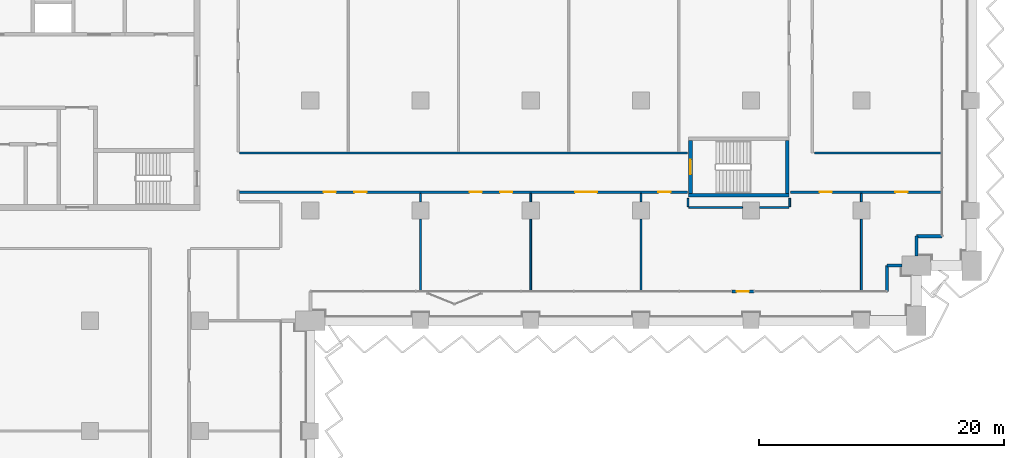
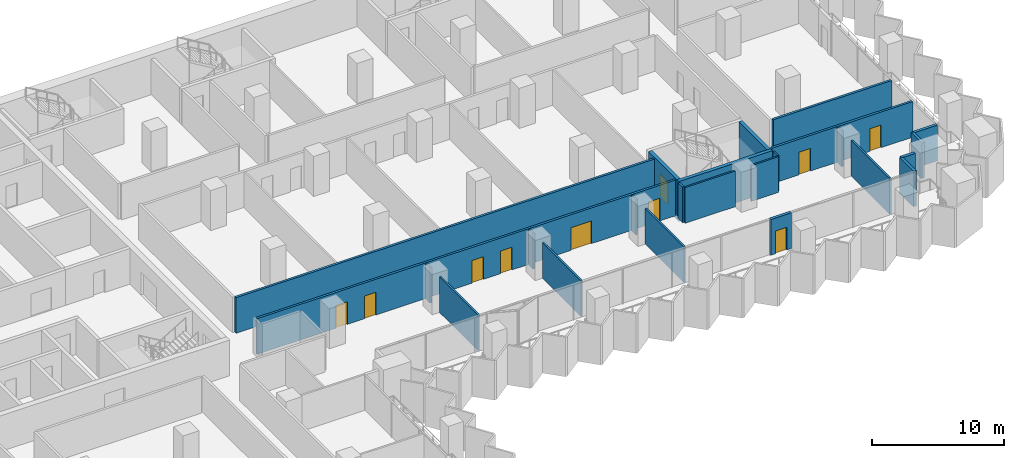
# One storey, part 13 of 28: 24 walls, 10 doors, 10 openings.
"""IFC4 building model written with IfcOpenShell, lengths in metres."""

from ifc_helpers import new_model, si_unit, direction, frame, frame_2d, origin, place, context, subcontext, project, spatial, rectangle, extrude, material, layer, layer_set, type_object, element, fill, save


model = new_model("IFC4")

# Units and contexts
model_context = context("Model", 3, precision=1e-05, world=origin(), true_north=direction((0.0, 1.0)))
body_context = subcontext(model_context, "Body", "Model", "MODEL_VIEW")
ifc_project = project(units=[si_unit("LENGTHUNIT", "METRE"), si_unit("AREAUNIT", "SQUARE_METRE"), si_unit("VOLUMEUNIT", "CUBIC_METRE"), si_unit("PLANEANGLEUNIT", "RADIAN"), si_unit("MASSUNIT", "GRAM", prefix="KILO")], contexts=[model_context])

# Site, building, storey
site_placement = place(None, origin())
site = spatial("IfcSite", under=ifc_project, at=site_placement, CompositionType="ELEMENT")
building_placement = place(site_placement, origin())
building = spatial("IfcBuilding", under=site, at=building_placement, Name="Hunhe Ridgeline Campus", CompositionType="ELEMENT")
storey_placement = place(building_placement, frame((0.0, 0.0, 39.5)))
storey = spatial("IfcBuildingStorey", under=building, at=storey_placement, Name="L08", CompositionType="ELEMENT", Elevation=39.5)

# Walls
ifc_material_1 = material(Name="Concrete C30", Category="concrete")
ifc_layer_1 = layer(ifc_material_1, 0.25)
ifc_layer_set_1 = layer_set([ifc_layer_1], Name="Corner return wall 250 Concrete C30")
wall_type_1 = type_object("IfcWallType", Name="Corner return wall 250 Concrete C30", PredefinedType="SOLIDWALL", material=ifc_layer_set_1)
wall_1_placement = place(storey_placement, frame((92.09912109375, 56.40087890625, 0.0), z_axis=(0.0, 0.0, 1.0), x_axis=(0.00011626555, 0.999999993241, 0.0)))
element("IfcWall", 1, at=wall_1_placement, inside=storey, type_object=wall_type_1, Name="Corner return wall 4", PredefinedType="SOLIDWALL", context=body_context, shape_type="SweptSolid", body=[
    extrude(rectangle(XDim=2.099853515625, YDim=0.25, at=frame_2d((1.0498046875, 0.0))), origin(), (0.0, 0.0, 1.0), 3.300048828125),
])
wall_2_placement = place(storey_placement, frame((92.099365234375, 58.500732421875, 0.0), z_axis=(0.0, 0.0, 1.0), x_axis=(1.0, 0.0, 0.0)))
element("IfcWall", 2, at=wall_2_placement, inside=storey, type_object=wall_type_1, Name="Corner return wall 5", PredefinedType="SOLIDWALL", context=body_context, shape_type="SweptSolid", body=[
    extrude(rectangle(XDim=1.20068359375, YDim=0.25, at=frame_2d((0.600341796875, 0.0))), origin(), (0.0, 0.0, 1.0), 3.300048828125),
])
wall_3_placement = place(storey_placement, frame((94.4990234375, 59.300048828125, 0.0), z_axis=(0.0, 0.0, 1.0), x_axis=(0.00015253203, 0.999999988367, 0.0)))
element("IfcWall", 3, at=wall_3_placement, inside=storey, type_object=wall_type_1, Name="Corner return wall 6", PredefinedType="SOLIDWALL", context=body_context, shape_type="SweptSolid", body=[
    extrude(rectangle(XDim=1.6005859375, YDim=0.25, at=frame_2d((0.80029296875, 0.0))), origin(), (0.0, 0.0, 1.0), 3.300048828125),
])
wall_4_placement = place(storey_placement, frame((94.499267578125, 60.900634765625, 0.0), z_axis=(0.0, 0.0, 1.0), x_axis=(0.999999993241, 0.00011626555, 0.0)))
element("IfcWall", 4, at=wall_4_placement, inside=storey, type_object=wall_type_1, Name="Corner return wall 7", PredefinedType="SOLIDWALL", context=body_context, shape_type="SweptSolid", body=[
    extrude(rectangle(XDim=2.099853515625, YDim=0.25, at=frame_2d((1.0498046875, 0.0))), origin(), (0.0, 0.0, 1.0), 3.300048828125),
])

# Wall, openings, doors
ifc_material_2 = material(Name="Gypsum board partition")
ifc_layer_2 = layer(ifc_material_2, 0.199951171875)
ifc_layer_set_2 = layer_set([ifc_layer_2], Name="Corridor partition 200 gypsum board on steel studs")
wall_type_2 = type_object("IfcWallType", Name="Corridor partition 200 gypsum board on steel studs", PredefinedType="PARTITIONING", material=ifc_layer_set_2)
wall_5_placement = place(storey_placement, frame((75.7958984375, 64.5, 0.0), z_axis=(0.0, 0.0, 1.0), x_axis=(-1.0, 0.0, 0.0)))
wall_5 = element("IfcWall", 5, at=wall_5_placement, inside=storey, type_object=wall_type_2, Name="F-L08-wall-034", PredefinedType="PARTITIONING", context=body_context, shape_type="SweptSolid", body=[
    extrude(rectangle(XDim=36.595947265625, YDim=0.199951171875, at=frame_2d((18.2978515625, 0.0))), origin(), (0.0, 0.0, 1.0), 3.300048828125),
])
opening_1_placement = place(wall_5_placement, frame((28.70166015625, 0.0, 0.0)))
opening_1 = element("IfcOpeningElement", 6, at=opening_1_placement, cuts=wall_5, Name="Opening RD1-023", PredefinedType="OPENING", context=body_context, shape_type="SweptSolid", body=[
    extrude(rectangle(XDim=1.0, YDim=2.10009765625, at=frame_2d((0.5, 1.050048828125))), frame((0.0, 0.10009765625, 0.0), z_axis=(0.0, -1.0, 0.0), x_axis=(1.0, 0.0, 0.0)), (0.0, 0.0, 1.0), 0.199951171875),
])
opening_2_placement = place(wall_5_placement, frame((26.20166015625, 0.0, 0.0)))
opening_2 = element("IfcOpeningElement", 7, at=opening_2_placement, cuts=wall_5, Name="Opening RD1-024", PredefinedType="OPENING", context=body_context, shape_type="SweptSolid", body=[
    extrude(rectangle(XDim=1.0, YDim=2.10009765625, at=frame_2d((0.5, 1.050048828125))), frame((0.0, 0.10009765625, 0.0), z_axis=(0.0, -1.0, 0.0), x_axis=(1.0, 0.0, 0.0)), (0.0, 0.0, 1.0), 0.199951171875),
])
opening_3_placement = place(wall_5_placement, frame((16.79541015625, 0.0, 0.0)))
opening_3 = element("IfcOpeningElement", 8, at=opening_3_placement, cuts=wall_5, Name="Opening RD1-025", PredefinedType="OPENING", context=body_context, shape_type="SweptSolid", body=[
    extrude(rectangle(XDim=1.0, YDim=2.10009765625, at=frame_2d((0.5, 1.050048828125))), frame((0.0, 0.10009765625, 0.0), z_axis=(0.0, -1.0, 0.0), x_axis=(1.0, 0.0, 0.0)), (0.0, 0.0, 1.0), 0.199951171875),
])
opening_4_placement = place(wall_5_placement, frame((14.29541015625, 0.0, 0.0)))
opening_4 = element("IfcOpeningElement", 9, at=opening_4_placement, cuts=wall_5, Name="Opening RD1-026", PredefinedType="OPENING", context=body_context, shape_type="SweptSolid", body=[
    extrude(rectangle(XDim=1.0, YDim=2.10009765625, at=frame_2d((0.5, 1.050048828125))), frame((0.0, 0.10009765625, 0.0), z_axis=(0.0, -1.0, 0.0), x_axis=(1.0, 0.0, 0.0)), (0.0, 0.0, 1.0), 0.199951171875),
])
opening_5_placement = place(wall_5_placement, frame((7.37158203125, 0.0, 0.0)))
opening_5 = element("IfcOpeningElement", 10, at=opening_5_placement, cuts=wall_5, Name="Opening RD2-027", PredefinedType="OPENING", context=body_context, shape_type="SweptSolid", body=[
    extrude(rectangle(XDim=1.800048828125, YDim=2.10009765625, at=frame_2d((0.89990234375, 1.050048828125))), frame((0.0, 0.10009765625, 0.0), z_axis=(0.0, -1.0, 0.0), x_axis=(1.0, 0.0, 0.0)), (0.0, 0.0, 1.0), 0.199951171875),
])
opening_6_placement = place(wall_5_placement, frame((1.3798828125, 0.0, 0.0)))
opening_6 = element("IfcOpeningElement", 11, at=opening_6_placement, cuts=wall_5, Name="Opening RD1-028", PredefinedType="OPENING", context=body_context, shape_type="SweptSolid", body=[
    extrude(rectangle(XDim=1.0, YDim=2.10009765625, at=frame_2d((0.5, 1.050048828125))), frame((0.0, 0.10009765625, 0.0), z_axis=(0.0, -1.0, 0.0), x_axis=(1.0, 0.0, 0.0)), (0.0, 0.0, 1.0), 0.199951171875),
])
ifc_material_3 = material(Name="Timber door leaf", Category="wood")
door_type_1 = type_object("IfcDoorType", Name="Double fire door 1800x2100 timber FD60", OperationType="DOUBLE_DOOR_SINGLE_SWING", PredefinedType="DOOR", material=ifc_material_3)
door_1_placement = place(opening_5_placement, origin())
door_1 = element("IfcDoor", 12, at=door_1_placement, inside=storey, type_object=door_type_1, Name="F-L08-door-027", OperationType="DOUBLE_DOOR_SINGLE_SWING", OverallHeight=2.10009765625, OverallWidth=1.800048828125, PredefinedType="DOOR", context=body_context, shape_type="SweptSolid", body=[
    extrude(rectangle(XDim=1.800048828125, YDim=2.10009765625, at=frame_2d((0.89990234375, 1.050048828125))), frame((0.0, 0.02490234375, 0.0), z_axis=(0.0, -1.0, 0.0), x_axis=(1.0, 0.0, 0.0)), (0.0, 0.0, 1.0), 0.050048828125),
])
fill(opening_5, door_1)
door_type_2 = type_object("IfcDoorType", Name="Single fire door 1000x2100 timber FD60", OperationType="NOTDEFINED", PredefinedType="DOOR", material=ifc_material_3)
door_2_placement = place(opening_1_placement, frame((1.0, 0.0, 0.0), z_axis=(0.0, 0.0, 1.0), x_axis=(-1.0, 0.0, 0.0)))
door_2 = element("IfcDoor", 13, at=door_2_placement, inside=storey, type_object=door_type_2, Name="F-L08-door-023", OperationType="SINGLE_SWING_RIGHT", OverallHeight=2.10009765625, OverallWidth=1.0, PredefinedType="DOOR", context=body_context, shape_type="SweptSolid", body=[
    extrude(rectangle(XDim=1.0, YDim=2.10009765625, at=frame_2d((0.5, 1.050048828125))), frame((0.0, 0.02490234375, 0.0), z_axis=(0.0, -1.0, 0.0), x_axis=(1.0, 0.0, 0.0)), (0.0, 0.0, 1.0), 0.050048828125),
])
fill(opening_1, door_2)
door_3_placement = place(opening_2_placement, frame((1.0, 0.0, 0.0), z_axis=(0.0, 0.0, 1.0), x_axis=(-1.0, 0.0, 0.0)))
door_3 = element("IfcDoor", 14, at=door_3_placement, inside=storey, type_object=door_type_2, Name="F-L08-door-024", OperationType="SINGLE_SWING_RIGHT", OverallHeight=2.10009765625, OverallWidth=1.0, PredefinedType="DOOR", context=body_context, shape_type="SweptSolid", body=[
    extrude(rectangle(XDim=1.0, YDim=2.10009765625, at=frame_2d((0.5, 1.050048828125))), frame((0.0, 0.02490234375, 0.0), z_axis=(0.0, -1.0, 0.0), x_axis=(1.0, 0.0, 0.0)), (0.0, 0.0, 1.0), 0.050048828125),
])
fill(opening_2, door_3)
door_4_placement = place(opening_3_placement, frame((1.0, 0.0, 0.0), z_axis=(0.0, 0.0, 1.0), x_axis=(-1.0, 0.0, 0.0)))
door_4 = element("IfcDoor", 15, at=door_4_placement, inside=storey, type_object=door_type_2, Name="F-L08-door-025", OperationType="SINGLE_SWING_RIGHT", OverallHeight=2.10009765625, OverallWidth=1.0, PredefinedType="DOOR", context=body_context, shape_type="SweptSolid", body=[
    extrude(rectangle(XDim=1.0, YDim=2.10009765625, at=frame_2d((0.5, 1.050048828125))), frame((0.0, 0.02490234375, 0.0), z_axis=(0.0, -1.0, 0.0), x_axis=(1.0, 0.0, 0.0)), (0.0, 0.0, 1.0), 0.050048828125),
])
fill(opening_3, door_4)
door_5_placement = place(opening_4_placement, frame((1.0, 0.0, 0.0), z_axis=(0.0, 0.0, 1.0), x_axis=(-1.0, 0.0, 0.0)))
door_5 = element("IfcDoor", 16, at=door_5_placement, inside=storey, type_object=door_type_2, Name="F-L08-door-026", OperationType="SINGLE_SWING_RIGHT", OverallHeight=2.10009765625, OverallWidth=1.0, PredefinedType="DOOR", context=body_context, shape_type="SweptSolid", body=[
    extrude(rectangle(XDim=1.0, YDim=2.10009765625, at=frame_2d((0.5, 1.050048828125))), frame((0.0, 0.02490234375, 0.0), z_axis=(0.0, -1.0, 0.0), x_axis=(1.0, 0.0, 0.0)), (0.0, 0.0, 1.0), 0.050048828125),
])
fill(opening_4, door_5)
door_6_placement = place(opening_6_placement, frame((1.0, 0.0, 0.0), z_axis=(0.0, 0.0, 1.0), x_axis=(-1.0, 0.0, 0.0)))
door_6 = element("IfcDoor", 17, at=door_6_placement, inside=storey, type_object=door_type_2, Name="F-L08-door-028", OperationType="SINGLE_SWING_RIGHT", OverallHeight=2.10009765625, OverallWidth=1.0, PredefinedType="DOOR", context=body_context, shape_type="SweptSolid", body=[
    extrude(rectangle(XDim=1.0, YDim=2.10009765625, at=frame_2d((0.5, 1.050048828125))), frame((0.0, 0.02490234375, 0.0), z_axis=(0.0, -1.0, 0.0), x_axis=(1.0, 0.0, 0.0)), (0.0, 0.0, 1.0), 0.050048828125),
])
fill(opening_6, door_6)

wall_6_placement = place(storey_placement, frame((96.544921875, 64.5, 0.0), z_axis=(0.0, 0.0, 1.0), x_axis=(-1.0, 0.0, 0.0)))
wall_6 = element("IfcWall", 18, at=wall_6_placement, inside=storey, type_object=wall_type_2, Name="F-L08-wall-035", PredefinedType="PARTITIONING", context=body_context, shape_type="SweptSolid", body=[
    extrude(rectangle(XDim=12.3408203125, YDim=0.199951171875, at=frame_2d((6.17041015625, 0.0))), origin(), (0.0, 0.0, 1.0), 3.300048828125),
])
opening_7_placement = place(wall_6_placement, frame((8.944580078125, 0.0, 0.0)))
opening_7 = element("IfcOpeningElement", 19, at=opening_7_placement, cuts=wall_6, Name="Opening RD1-029", PredefinedType="OPENING", context=body_context, shape_type="SweptSolid", body=[
    extrude(rectangle(XDim=1.0, YDim=2.10009765625, at=frame_2d((0.5, 1.050048828125))), frame((0.0, 0.10009765625, 0.0), z_axis=(0.0, -1.0, 0.0), x_axis=(1.0, 0.0, 0.0)), (0.0, 0.0, 1.0), 0.199951171875),
])
opening_8_placement = place(wall_6_placement, frame((2.774169921875, 0.0, 0.0)))
opening_8 = element("IfcOpeningElement", 20, at=opening_8_placement, cuts=wall_6, Name="Opening RD1-030", PredefinedType="OPENING", context=body_context, shape_type="SweptSolid", body=[
    extrude(rectangle(XDim=1.0, YDim=2.10009765625, at=frame_2d((0.5, 1.050048828125))), frame((0.0, 0.10009765625, 0.0), z_axis=(0.0, -1.0, 0.0), x_axis=(1.0, 0.0, 0.0)), (0.0, 0.0, 1.0), 0.199951171875),
])
door_7_placement = place(opening_7_placement, frame((1.0, 0.0, 0.0), z_axis=(0.0, 0.0, 1.0), x_axis=(-1.0, 0.0, 0.0)))
door_7 = element("IfcDoor", 21, at=door_7_placement, inside=storey, type_object=door_type_2, Name="F-L08-door-029", OperationType="SINGLE_SWING_RIGHT", OverallHeight=2.10009765625, OverallWidth=1.0, PredefinedType="DOOR", context=body_context, shape_type="SweptSolid", body=[
    extrude(rectangle(XDim=1.0, YDim=2.10009765625, at=frame_2d((0.5, 1.050048828125))), frame((0.0, 0.02490234375, 0.0), z_axis=(0.0, -1.0, 0.0), x_axis=(1.0, 0.0, 0.0)), (0.0, 0.0, 1.0), 0.050048828125),
])
fill(opening_7, door_7)
door_8_placement = place(opening_8_placement, origin())
door_8 = element("IfcDoor", 22, at=door_8_placement, inside=storey, type_object=door_type_2, Name="F-L08-door-030", OperationType="SINGLE_SWING_RIGHT", OverallHeight=2.10009765625, OverallWidth=1.0, PredefinedType="DOOR", context=body_context, shape_type="SweptSolid", body=[
    extrude(rectangle(XDim=1.0, YDim=2.10009765625, at=frame_2d((0.5, 1.050048828125))), frame((0.0, 0.02490234375, 0.0), z_axis=(0.0, -1.0, 0.0), x_axis=(1.0, 0.0, 0.0)), (0.0, 0.0, 1.0), 0.050048828125),
])
fill(opening_8, door_8)

# Walls
wall_7_placement = place(storey_placement, frame((39.199951171875, 67.699951171875, 0.0), z_axis=(0.0, 0.0, 1.0), x_axis=(1.0, 0.0, 0.0)))
element("IfcWall", 23, at=wall_7_placement, inside=storey, type_object=wall_type_2, Name="F-L08-wall-036", PredefinedType="PARTITIONING", context=body_context, shape_type="SweptSolid", body=[
    extrude(rectangle(XDim=36.595947265625, YDim=0.199951171875, at=frame_2d((18.2978515625, 0.0))), origin(), (0.0, 0.0, 1.0), 3.300048828125),
])
wall_8_placement = place(storey_placement, frame((86.178466796875, 67.699951171875, 0.0), z_axis=(0.0, 0.0, 1.0), x_axis=(1.0, 0.0, 0.0)))
element("IfcWall", 24, at=wall_8_placement, inside=storey, type_object=wall_type_2, Name="F-L08-wall-037", PredefinedType="PARTITIONING", context=body_context, shape_type="SweptSolid", body=[
    extrude(rectangle(XDim=10.366455078125, YDim=0.199951171875, at=frame_2d((5.18310546875, 0.0))), origin(), (0.0, 0.0, 1.0), 3.300048828125),
])

# Wall, opening, door
ifc_layer_3 = layer(ifc_material_1, 0.25)
ifc_layer_set_3 = layer_set([ifc_layer_3], Name="Loggia door pier wall 250 Concrete C30")
wall_type_3 = type_object("IfcWallType", Name="Loggia door pier wall 250 Concrete C30", PredefinedType="SOLIDWALL", material=ifc_layer_set_3)
wall_9_placement = place(storey_placement, frame((79.424072265625, 56.40087890625, 0.0), z_axis=(0.0, 0.0, 1.0), x_axis=(1.0, 0.0, 0.0)))
wall_9 = element("IfcWall", 25, at=wall_9_placement, inside=storey, type_object=wall_type_3, Name="Loggia door pier 4", PredefinedType="SOLIDWALL", context=body_context, shape_type="SweptSolid", body=[
    extrude(rectangle(XDim=1.800048828125, YDim=0.25, at=frame_2d((0.89990234375, 0.0))), origin(), (0.0, 0.0, 1.0), 3.300048828125),
])
opening_9_placement = place(wall_9_placement, frame((0.39990234375, 0.0, 0.0)))
opening_9 = element("IfcOpeningElement", 26, at=opening_9_placement, cuts=wall_9, Name="Opening BD107", PredefinedType="OPENING", context=body_context, shape_type="SweptSolid", body=[
    extrude(rectangle(XDim=1.0, YDim=2.10009765625, at=frame_2d((0.5, 1.050048828125))), frame((0.0, 0.125, 0.0), z_axis=(0.0, -1.0, 0.0), x_axis=(1.0, 0.0, 0.0)), (0.0, 0.0, 1.0), 0.25),
])
ifc_material_4 = material(Name="Aluminium 6063", Category="aluminium")
door_type_3 = type_object("IfcDoorType", Name="Loggia glazed door 1000x2100", OperationType="NOTDEFINED", PredefinedType="DOOR", material=ifc_material_4)
door_9_placement = place(opening_9_placement, frame((1.0, 0.0, 0.0), z_axis=(0.0, 0.0, 1.0), x_axis=(-1.0, 0.0, 0.0)))
door_9 = element("IfcDoor", 27, at=door_9_placement, inside=storey, type_object=door_type_3, Name="Loggia door BD107", OperationType="SINGLE_SWING_RIGHT", OverallHeight=2.10009765625, OverallWidth=1.0, PredefinedType="DOOR", context=body_context, shape_type="SweptSolid", body=[
    extrude(rectangle(XDim=1.0, YDim=2.10009765625, at=frame_2d((0.5, 1.050048828125))), frame((0.0, 0.02490234375, 0.0), z_axis=(0.0, -1.0, 0.0), x_axis=(1.0, 0.0, 0.0)), (0.0, 0.0, 1.0), 0.050048828125),
])
fill(opening_9, door_9)

# Walls
ifc_layer_4 = layer(ifc_material_2, 0.14990234375)
ifc_layer_set_4 = layer_set([ifc_layer_4], Name="Room partition 150 gypsum board on steel studs")
wall_type_4 = type_object("IfcWallType", Name="Room partition 150 gypsum board on steel studs", PredefinedType="PARTITIONING", material=ifc_layer_set_4)
wall_10_placement = place(storey_placement, frame((75.925048828125, 63.25, 0.0), z_axis=(0.0, 0.0, 1.0), x_axis=(1.0, 0.0, 0.0)))
element("IfcWall", 28, at=wall_10_placement, inside=storey, type_object=wall_type_4, Name="F-L08-wall-031", PredefinedType="PARTITIONING", context=body_context, shape_type="SweptSolid", body=[
    extrude(rectangle(XDim=4.375, YDim=0.14990234375, at=frame_2d((2.1875, 0.0))), origin(), (0.0, 0.0, 1.0), 3.300048828125),
])
wall_11_placement = place(storey_placement, frame((81.699951171875, 63.25, 0.0), z_axis=(0.0, 0.0, 1.0), x_axis=(1.0, 0.0, 0.0)))
element("IfcWall", 29, at=wall_11_placement, inside=storey, type_object=wall_type_4, Name="F-L08-wall-032", PredefinedType="PARTITIONING", context=body_context, shape_type="SweptSolid", body=[
    extrude(rectangle(XDim=2.375, YDim=0.14990234375, at=frame_2d((1.1875, 0.0))), origin(), (0.0, 0.0, 1.0), 3.300048828125),
])
wall_12_placement = place(storey_placement, frame((54.0, 62.300048828125, 0.0), z_axis=(0.0, 0.0, 1.0), x_axis=(0.0, -1.0, 0.0)))
element("IfcWall", 30, at=wall_12_placement, inside=storey, type_object=wall_type_4, Name="F-L08-wall-061", PredefinedType="PARTITIONING", context=body_context, shape_type="SweptSolid", body=[
    extrude(rectangle(XDim=5.84521484375, YDim=0.14990234375, at=frame_2d((2.922607421875, 0.0))), origin(), (0.0, 0.0, 1.0), 3.300048828125),
])
wall_13_placement = place(storey_placement, frame((54.0, 64.39990234375, 0.0), z_axis=(0.0, 0.0, 1.0), x_axis=(0.0, -1.0, 0.0)))
element("IfcWall", 31, at=wall_13_placement, inside=storey, type_object=wall_type_4, Name="F-L08-wall-062", PredefinedType="PARTITIONING", context=body_context, shape_type="SweptSolid", body=[
    extrude(rectangle(XDim=0.699951171875, YDim=0.14990234375, at=frame_2d((0.35009765625, 0.0))), origin(), (0.0, 0.0, 1.0), 3.300048828125),
])
wall_14_placement = place(storey_placement, frame((63.0, 62.300048828125, 0.0), z_axis=(0.0, 0.0, 1.0), x_axis=(0.0, -1.0, 0.0)))
element("IfcWall", 32, at=wall_14_placement, inside=storey, type_object=wall_type_4, Name="F-L08-wall-065", PredefinedType="PARTITIONING", context=body_context, shape_type="SweptSolid", body=[
    extrude(rectangle(XDim=5.84521484375, YDim=0.14990234375, at=frame_2d((2.922607421875, 0.0))), origin(), (0.0, 0.0, 1.0), 3.300048828125),
])
wall_15_placement = place(storey_placement, frame((63.0, 64.39990234375, 0.0), z_axis=(0.0, 0.0, 1.0), x_axis=(0.0, -1.0, 0.0)))
element("IfcWall", 33, at=wall_15_placement, inside=storey, type_object=wall_type_4, Name="F-L08-wall-066", PredefinedType="PARTITIONING", context=body_context, shape_type="SweptSolid", body=[
    extrude(rectangle(XDim=0.699951171875, YDim=0.14990234375, at=frame_2d((0.35009765625, 0.0))), origin(), (0.0, 0.0, 1.0), 3.300048828125),
])
wall_16_placement = place(storey_placement, frame((72.0, 62.300048828125, 0.0), z_axis=(0.0, 0.0, 1.0), x_axis=(0.0, -1.0, 0.0)))
element("IfcWall", 34, at=wall_16_placement, inside=storey, type_object=wall_type_4, Name="F-L08-wall-070", PredefinedType="PARTITIONING", context=body_context, shape_type="SweptSolid", body=[
    extrude(rectangle(XDim=5.84521484375, YDim=0.14990234375, at=frame_2d((2.922607421875, 0.0))), origin(), (0.0, 0.0, 1.0), 3.300048828125),
])
wall_17_placement = place(storey_placement, frame((72.0, 64.39990234375, 0.0), z_axis=(0.0, 0.0, 1.0), x_axis=(0.0, -1.0, 0.0)))
element("IfcWall", 35, at=wall_17_placement, inside=storey, type_object=wall_type_4, Name="F-L08-wall-071", PredefinedType="PARTITIONING", context=body_context, shape_type="SweptSolid", body=[
    extrude(rectangle(XDim=0.699951171875, YDim=0.14990234375, at=frame_2d((0.35009765625, 0.0))), origin(), (0.0, 0.0, 1.0), 3.300048828125),
])
for number, where, z_axis, x_axis, name in (
    (36, (75.85009765625, 63.99609375, 0.0), (0.0, 0.0, 1.0), (0.0, -1.0, 0.0), "F-L08-wall-074"),
    (37, (84.14990234375, 63.99609375, 0.0), (0.0, 0.0, 1.0), (0.0, -1.0, 0.0), "F-L08-wall-076"),
):
    element("IfcWall", number, at=place(storey_placement, frame(where, z_axis=z_axis, x_axis=x_axis)), inside=storey, type_object=wall_type_4, Name=name, PredefinedType="PARTITIONING", context=body_context, shape_type="SweptSolid", body=[
        extrude(rectangle(XDim=0.671142578125, YDim=0.14990234375, at=frame_2d((0.33544921875, 0.0))), origin(), (0.0, 0.0, 1.0), 3.300048828125),
    ])
wall_18_placement = place(storey_placement, frame((90.0, 62.300048828125, 0.0), z_axis=(0.0, 0.0, 1.0), x_axis=(0.0, -1.0, 0.0)))
element("IfcWall", 38, at=wall_18_placement, inside=storey, type_object=wall_type_4, Name="F-L08-wall-080", PredefinedType="PARTITIONING", context=body_context, shape_type="SweptSolid", body=[
    extrude(rectangle(XDim=5.844970703125, YDim=0.14990234375, at=frame_2d((2.92236328125, 0.0))), origin(), (0.0, 0.0, 1.0), 3.300048828125),
])
wall_19_placement = place(storey_placement, frame((90.0, 64.39990234375, 0.0), z_axis=(0.0, 0.0, 1.0), x_axis=(0.0, -1.0, 0.0)))
element("IfcWall", 39, at=wall_19_placement, inside=storey, type_object=wall_type_4, Name="F-L08-wall-081", PredefinedType="PARTITIONING", context=body_context, shape_type="SweptSolid", body=[
    extrude(rectangle(XDim=0.699951171875, YDim=0.14990234375, at=frame_2d((0.35009765625, 0.0))), origin(), (0.0, 0.0, 1.0), 3.300048828125),
])
ifc_material_5 = material(Name="Concrete C80", Category="concrete")
ifc_layer_5 = layer(ifc_material_5, 0.300048828125)
ifc_layer_set_5 = layer_set([ifc_layer_5], Name="Stair wall 300 reinforced concrete C80")
wall_type_5 = type_object("IfcWallType", Name="Stair wall 300 reinforced concrete C80", PredefinedType="SOLIDWALL", material=ifc_layer_set_5)
wall_20_placement = place(storey_placement, frame((75.89990234375, 64.25, -0.39990234375), z_axis=(0.0, 0.0, 1.0), x_axis=(1.0, 0.0, 0.0)))
element("IfcWall", 40, at=wall_20_placement, inside=storey, type_object=wall_type_5, Name="L08 core wall 8", PredefinedType="SOLIDWALL", context=body_context, shape_type="SweptSolid", body=[
    extrude(rectangle(XDim=8.2001953125, YDim=0.300048828125, at=frame_2d((4.10009765625, 0.0))), origin(), (0.0, 0.0, 1.0), 3.699951171875),
])

# Wall, opening, door
wall_21_placement = place(storey_placement, frame((76.050048828125, 64.39990234375, -0.39990234375), z_axis=(0.0, 0.0, 1.0), x_axis=(0.0, 1.0, 0.0)))
wall_21 = element("IfcWall", 41, at=wall_21_placement, inside=storey, type_object=wall_type_5, Name="L08 core wall 71", PredefinedType="SOLIDWALL", context=body_context, shape_type="SweptSolid", body=[
    extrude(rectangle(XDim=4.300048828125, YDim=0.300048828125, at=frame_2d((2.14990234375, 0.0))), origin(), (0.0, 0.0, 1.0), 3.699951171875),
])
opening_10_placement = place(wall_21_placement, frame((1.550048828125, 0.0, 0.39990234375)))
opening_10 = element("IfcOpeningElement", 42, at=opening_10_placement, cuts=wall_21, Name="Opening CD24", PredefinedType="OPENING", context=body_context, shape_type="SweptSolid", body=[
    extrude(rectangle(XDim=1.199951171875, YDim=2.10009765625, at=frame_2d((0.60009765625, 1.050048828125))), frame((0.0, 0.14990234375, 0.0), z_axis=(0.0, -1.0, 0.0), x_axis=(1.0, 0.0, 0.0)), (0.0, 0.0, 1.0), 0.300048828125),
])
ifc_material_6 = material(Name="Hollow metal fire door leaf")
door_type_4 = type_object("IfcDoorType", Name="Stair door 1200x2100 FD60", OperationType="SINGLE_SWING_LEFT", PredefinedType="DOOR", material=ifc_material_6)
door_10_placement = place(opening_10_placement, origin())
door_10 = element("IfcDoor", 43, at=door_10_placement, inside=storey, type_object=door_type_4, Name="L08 door E5", OperationType="SINGLE_SWING_RIGHT", OverallHeight=2.10009765625, OverallWidth=1.199951171875, PredefinedType="DOOR", context=body_context, shape_type="SweptSolid", body=[
    extrude(rectangle(XDim=1.199951171875, YDim=2.10009765625, at=frame_2d((0.60009765625, 1.050048828125))), frame((0.0, 0.02490234375, 0.0), z_axis=(0.0, -1.0, 0.0), x_axis=(1.0, 0.0, 0.0)), (0.0, 0.0, 1.0), 0.050048828125),
])
fill(opening_10, door_10)

# Wall
wall_22_placement = place(storey_placement, frame((83.949951171875, 64.39990234375, -0.39990234375), z_axis=(0.0, 0.0, 1.0), x_axis=(0.0, 1.0, 0.0)))
element("IfcWall", 44, at=wall_22_placement, inside=storey, type_object=wall_type_5, Name="L08 core wall 72", PredefinedType="SOLIDWALL", context=body_context, shape_type="SweptSolid", body=[
    extrude(rectangle(XDim=4.300048828125, YDim=0.300048828125, at=frame_2d((2.14990234375, 0.0))), origin(), (0.0, 0.0, 1.0), 3.699951171875),
])

save(model, "model.ifc")
